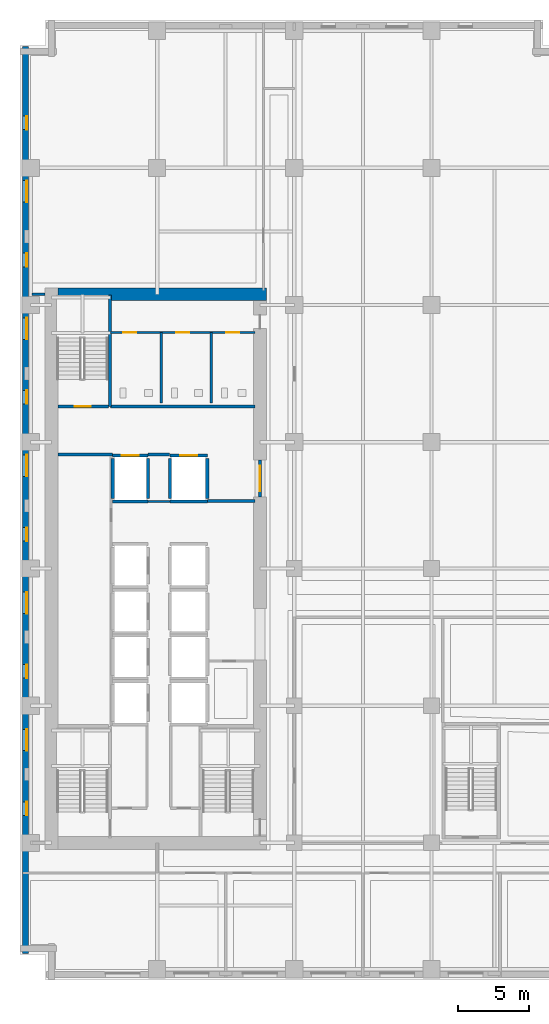
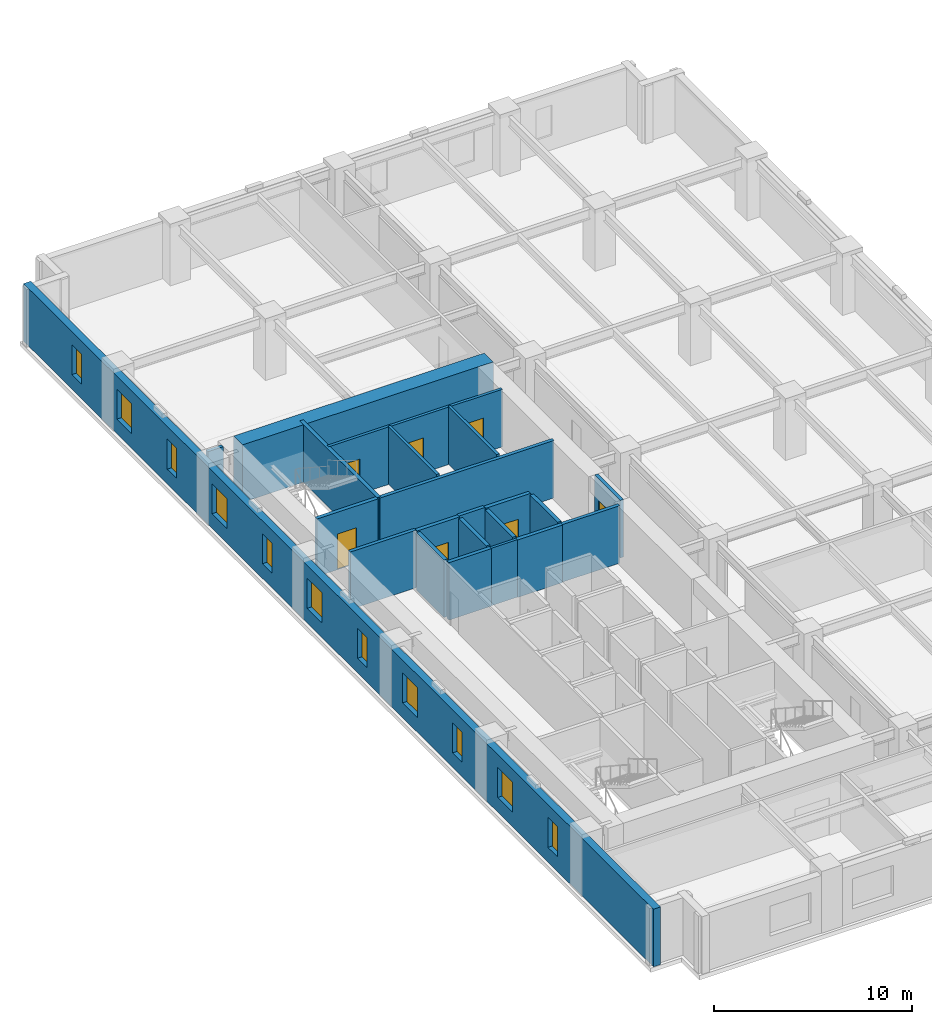
# One storey, part 6 of 14: 22 walls, 11 windows, 7 doors, 18 openings.
"""IFC4 building model written with IfcOpenShell, lengths in metres."""

from ifc_helpers import new_model, si_unit, direction, frame, frame_2d, origin, place, context, subcontext, project, spatial, rectangle, extrude, material, layer, layer_set, type_object, element, fill, save


model = new_model("IFC4")

# Units and contexts
model_context = context("Model", 3, precision=1e-05, world=origin(), true_north=direction((0.0, 1.0)))
body_context = subcontext(model_context, "Body", "Model", "MODEL_VIEW")
ifc_project = project(units=[si_unit("LENGTHUNIT", "METRE"), si_unit("AREAUNIT", "SQUARE_METRE"), si_unit("VOLUMEUNIT", "CUBIC_METRE"), si_unit("PLANEANGLEUNIT", "RADIAN"), si_unit("MASSUNIT", "GRAM", prefix="KILO")], contexts=[model_context])

# Site, building, storey
site_placement = place(None, origin())
site = spatial("IfcSite", under=ifc_project, at=site_placement, CompositionType="ELEMENT")
building_placement = place(site_placement, origin())
building = spatial("IfcBuilding", under=site, at=building_placement, Name="Norrvale University Quadrangle", CompositionType="ELEMENT")
storey_placement = place(building_placement, frame((0.0, 0.0, 24.199951171875)))
storey = spatial("IfcBuildingStorey", under=building, at=storey_placement, Name="L05", CompositionType="ELEMENT", Elevation=24.199951171875)

# Wall, openings, windows
ifc_material_1 = material(Name="Buff Norman Clay Brick Masonry", Category="masonry")
ifc_layer_1 = layer(ifc_material_1, 0.419921875, Name="Buff Norman Clay Brick Masonry")
ifc_layer_set_1 = layer_set([ifc_layer_1], Name="Buff Norman Clay Brick Masonry")
wall_type_1 = type_object("IfcWallType", Name="Wall Buff Brick 420", PredefinedType="SOLIDWALL", material=ifc_layer_set_1)
wall_1_placement = place(storey_placement, frame((0.389892578125, 65.360107421875, 0.0), z_axis=(0.0, 0.0, 1.0), x_axis=(0.0, -1.0, 0.0)))
wall_1 = element("IfcWall", 1, at=wall_1_placement, inside=storey, type_object=wall_type_1, Name="Exterior Brick Facade Wall L05-14.1", PredefinedType="SOLIDWALL", context=body_context, shape_type="SweptSolid", body=[
    extrude(rectangle(XDim=63.52001953125, YDim=0.419921875, at=frame_2d((31.760009765625, 0.0))), origin(), (0.0, 0.0, 1.0), 3.5400390625),
])
opening_1_placement = place(wall_1_placement, frame((4.885009765625, 0.0, 0.89990234375)))
opening_1 = element("IfcOpeningElement", 2, at=opening_1_placement, cuts=wall_1, Name="Opening W04", PredefinedType="OPENING", context=body_context, shape_type="SweptSolid", body=[
    extrude(rectangle(XDim=0.949951171875, YDim=1.85009765625, at=frame_2d((0.47509765625, 0.925048828125))), frame((0.0, 0.221923828125, 0.0), z_axis=(0.0, -1.0, 0.0), x_axis=(1.0, 0.0, 0.0)), (0.0, 0.0, 1.0), 0.44384765625),
])
opening_2_placement = place(wall_1_placement, frame((9.409912109375, 0.0, 0.89990234375)))
opening_2 = element("IfcOpeningElement", 3, at=opening_2_placement, cuts=wall_1, Name="Opening W03", PredefinedType="OPENING", context=body_context, shape_type="SweptSolid", body=[
    extrude(rectangle(XDim=1.5, YDim=1.85009765625, at=frame_2d((0.75, 0.925048828125))), frame((0.0, 0.221923828125, 0.0), z_axis=(0.0, -1.0, 0.0), x_axis=(1.0, 0.0, 0.0)), (0.0, 0.0, 1.0), 0.44384765625),
])
opening_3_placement = place(wall_1_placement, frame((14.485107421875, 0.0, 0.89990234375)))
opening_3 = element("IfcOpeningElement", 4, at=opening_3_placement, cuts=wall_1, Name="Opening W04", PredefinedType="OPENING", context=body_context, shape_type="SweptSolid", body=[
    extrude(rectangle(XDim=0.949951171875, YDim=1.85009765625, at=frame_2d((0.47509765625, 0.925048828125))), frame((0.0, 0.221923828125, 0.0), z_axis=(0.0, -1.0, 0.0), x_axis=(1.0, 0.0, 0.0)), (0.0, 0.0, 1.0), 0.44384765625),
])
opening_4_placement = place(wall_1_placement, frame((19.010009765625, 0.0, 0.89990234375)))
opening_4 = element("IfcOpeningElement", 5, at=opening_4_placement, cuts=wall_1, Name="Opening W03", PredefinedType="OPENING", context=body_context, shape_type="SweptSolid", body=[
    extrude(rectangle(XDim=1.5, YDim=1.85009765625, at=frame_2d((0.75, 0.925048828125))), frame((0.0, 0.221923828125, 0.0), z_axis=(0.0, -1.0, 0.0), x_axis=(1.0, 0.0, 0.0)), (0.0, 0.0, 1.0), 0.44384765625),
])
opening_5_placement = place(wall_1_placement, frame((24.0849609375, 0.0, 0.89990234375)))
opening_5 = element("IfcOpeningElement", 6, at=opening_5_placement, cuts=wall_1, Name="Opening W04", PredefinedType="OPENING", context=body_context, shape_type="SweptSolid", body=[
    extrude(rectangle(XDim=0.949951171875, YDim=1.85009765625, at=frame_2d((0.47509765625, 0.925048828125))), frame((0.0, 0.221923828125, 0.0), z_axis=(0.0, -1.0, 0.0), x_axis=(1.0, 0.0, 0.0)), (0.0, 0.0, 1.0), 0.44384765625),
])
opening_6_placement = place(wall_1_placement, frame((28.610107421875, 0.0, 0.89990234375)))
opening_6 = element("IfcOpeningElement", 7, at=opening_6_placement, cuts=wall_1, Name="Opening W03", PredefinedType="OPENING", context=body_context, shape_type="SweptSolid", body=[
    extrude(rectangle(XDim=1.5, YDim=1.85009765625, at=frame_2d((0.75, 0.925048828125))), frame((0.0, 0.221923828125, 0.0), z_axis=(0.0, -1.0, 0.0), x_axis=(1.0, 0.0, 0.0)), (0.0, 0.0, 1.0), 0.44384765625),
])
opening_7_placement = place(wall_1_placement, frame((33.68505859375, 0.0, 0.89990234375)))
opening_7 = element("IfcOpeningElement", 8, at=opening_7_placement, cuts=wall_1, Name="Opening W04", PredefinedType="OPENING", context=body_context, shape_type="SweptSolid", body=[
    extrude(rectangle(XDim=0.949951171875, YDim=1.85009765625, at=frame_2d((0.47509765625, 0.925048828125))), frame((0.0, 0.221923828125, 0.0), z_axis=(0.0, -1.0, 0.0), x_axis=(1.0, 0.0, 0.0)), (0.0, 0.0, 1.0), 0.44384765625),
])
opening_8_placement = place(wall_1_placement, frame((38.2099609375, 0.0, 0.89990234375)))
opening_8 = element("IfcOpeningElement", 9, at=opening_8_placement, cuts=wall_1, Name="Opening W03", PredefinedType="OPENING", context=body_context, shape_type="SweptSolid", body=[
    extrude(rectangle(XDim=1.5, YDim=1.85009765625, at=frame_2d((0.75, 0.925048828125))), frame((0.0, 0.221923828125, 0.0), z_axis=(0.0, -1.0, 0.0), x_axis=(1.0, 0.0, 0.0)), (0.0, 0.0, 1.0), 0.44384765625),
])
opening_9_placement = place(wall_1_placement, frame((43.284912109375, 0.0, 0.89990234375)))
opening_9 = element("IfcOpeningElement", 10, at=opening_9_placement, cuts=wall_1, Name="Opening W04", PredefinedType="OPENING", context=body_context, shape_type="SweptSolid", body=[
    extrude(rectangle(XDim=0.949951171875, YDim=1.85009765625, at=frame_2d((0.47509765625, 0.925048828125))), frame((0.0, 0.221923828125, 0.0), z_axis=(0.0, -1.0, 0.0), x_axis=(1.0, 0.0, 0.0)), (0.0, 0.0, 1.0), 0.44384765625),
])
opening_10_placement = place(wall_1_placement, frame((47.81005859375, 0.0, 0.89990234375)))
opening_10 = element("IfcOpeningElement", 11, at=opening_10_placement, cuts=wall_1, Name="Opening W03", PredefinedType="OPENING", context=body_context, shape_type="SweptSolid", body=[
    extrude(rectangle(XDim=1.5, YDim=1.85009765625, at=frame_2d((0.75, 0.925048828125))), frame((0.0, 0.221923828125, 0.0), z_axis=(0.0, -1.0, 0.0), x_axis=(1.0, 0.0, 0.0)), (0.0, 0.0, 1.0), 0.44384765625),
])
opening_11_placement = place(wall_1_placement, frame((52.885009765625, 0.0, 0.89990234375)))
opening_11 = element("IfcOpeningElement", 12, at=opening_11_placement, cuts=wall_1, Name="Opening W04", PredefinedType="OPENING", context=body_context, shape_type="SweptSolid", body=[
    extrude(rectangle(XDim=0.949951171875, YDim=1.85009765625, at=frame_2d((0.47509765625, 0.925048828125))), frame((0.0, 0.221923828125, 0.0), z_axis=(0.0, -1.0, 0.0), x_axis=(1.0, 0.0, 0.0)), (0.0, 0.0, 1.0), 0.44384765625),
])
ifc_material_2 = material(Name="Triple Low-E Argon Glazing", Category="glass")
window_type_1 = type_object("IfcWindowType", Name="Window Narrow Pier 950x2300", PartitioningType="SINGLE_PANEL", PredefinedType="WINDOW", material=ifc_material_2)
window_1_placement = place(opening_1_placement, origin())
window_1 = element("IfcWindow", 13, at=window_1_placement, inside=storey, type_object=window_type_1, Name="Window Narrow Pier 950x2300 WIN-L05-E14-1-01", OverallHeight=1.85009765625, OverallWidth=0.949951171875, PartitioningType="SINGLE_PANEL", PredefinedType="WINDOW", context=body_context, shape_type="SweptSolid", body=[
    extrude(rectangle(XDim=0.949951171875, YDim=1.85009765625, at=frame_2d((0.47509765625, 0.925048828125))), frame((0.0, 0.110107421875, 0.0), z_axis=(0.0, -1.0, 0.0), x_axis=(1.0, 0.0, 0.0)), (0.0, 0.0, 1.0), 0.06005859375),
])
fill(opening_1, window_1)
window_2_placement = place(opening_3_placement, origin())
window_2 = element("IfcWindow", 14, at=window_2_placement, inside=storey, type_object=window_type_1, Name="Window Narrow Pier 950x2300 WIN-L05-E14-1-03", OverallHeight=1.85009765625, OverallWidth=0.949951171875, PartitioningType="SINGLE_PANEL", PredefinedType="WINDOW", context=body_context, shape_type="SweptSolid", body=[
    extrude(rectangle(XDim=0.949951171875, YDim=1.85009765625, at=frame_2d((0.47509765625, 0.925048828125))), frame((0.0, 0.110107421875, 0.0), z_axis=(0.0, -1.0, 0.0), x_axis=(1.0, 0.0, 0.0)), (0.0, 0.0, 1.0), 0.06005859375),
])
fill(opening_3, window_2)
window_3_placement = place(opening_5_placement, origin())
window_3 = element("IfcWindow", 15, at=window_3_placement, inside=storey, type_object=window_type_1, Name="Window Narrow Pier 950x2300 WIN-L05-E14-1-05", OverallHeight=1.85009765625, OverallWidth=0.949951171875, PartitioningType="SINGLE_PANEL", PredefinedType="WINDOW", context=body_context, shape_type="SweptSolid", body=[
    extrude(rectangle(XDim=0.949951171875, YDim=1.85009765625, at=frame_2d((0.47509765625, 0.925048828125))), frame((0.0, 0.110107421875, 0.0), z_axis=(0.0, -1.0, 0.0), x_axis=(1.0, 0.0, 0.0)), (0.0, 0.0, 1.0), 0.06005859375),
])
fill(opening_5, window_3)
window_4_placement = place(opening_7_placement, origin())
window_4 = element("IfcWindow", 16, at=window_4_placement, inside=storey, type_object=window_type_1, Name="Window Narrow Pier 950x2300 WIN-L05-E14-1-07", OverallHeight=1.85009765625, OverallWidth=0.949951171875, PartitioningType="SINGLE_PANEL", PredefinedType="WINDOW", context=body_context, shape_type="SweptSolid", body=[
    extrude(rectangle(XDim=0.949951171875, YDim=1.85009765625, at=frame_2d((0.47509765625, 0.925048828125))), frame((0.0, 0.110107421875, 0.0), z_axis=(0.0, -1.0, 0.0), x_axis=(1.0, 0.0, 0.0)), (0.0, 0.0, 1.0), 0.06005859375),
])
fill(opening_7, window_4)
window_5_placement = place(opening_9_placement, origin())
window_5 = element("IfcWindow", 17, at=window_5_placement, inside=storey, type_object=window_type_1, Name="Window Narrow Pier 950x2300 WIN-L05-E14-1-09", OverallHeight=1.85009765625, OverallWidth=0.949951171875, PartitioningType="SINGLE_PANEL", PredefinedType="WINDOW", context=body_context, shape_type="SweptSolid", body=[
    extrude(rectangle(XDim=0.949951171875, YDim=1.85009765625, at=frame_2d((0.47509765625, 0.925048828125))), frame((0.0, 0.110107421875, 0.0), z_axis=(0.0, -1.0, 0.0), x_axis=(1.0, 0.0, 0.0)), (0.0, 0.0, 1.0), 0.06005859375),
])
fill(opening_9, window_5)
window_6_placement = place(opening_11_placement, origin())
window_6 = element("IfcWindow", 18, at=window_6_placement, inside=storey, type_object=window_type_1, Name="Window Narrow Pier 950x2300 WIN-L05-E14-1-11", OverallHeight=1.85009765625, OverallWidth=0.949951171875, PartitioningType="SINGLE_PANEL", PredefinedType="WINDOW", context=body_context, shape_type="SweptSolid", body=[
    extrude(rectangle(XDim=0.949951171875, YDim=1.85009765625, at=frame_2d((0.47509765625, 0.925048828125))), frame((0.0, 0.110107421875, 0.0), z_axis=(0.0, -1.0, 0.0), x_axis=(1.0, 0.0, 0.0)), (0.0, 0.0, 1.0), 0.06005859375),
])
fill(opening_11, window_6)
window_type_2 = type_object("IfcWindowType", Name="Window Studio 1500x2300", PartitioningType="DOUBLE_PANEL_VERTICAL", PredefinedType="WINDOW", material=ifc_material_2)
window_7_placement = place(opening_2_placement, origin())
window_7 = element("IfcWindow", 19, at=window_7_placement, inside=storey, type_object=window_type_2, Name="Window Studio 1500x2300 WIN-L05-E14-1-02", OverallHeight=1.85009765625, OverallWidth=1.5, PartitioningType="DOUBLE_PANEL_VERTICAL", PredefinedType="WINDOW", context=body_context, shape_type="SweptSolid", body=[
    extrude(rectangle(XDim=1.5, YDim=1.85009765625, at=frame_2d((0.75, 0.925048828125))), frame((0.0, 0.110107421875, 0.0), z_axis=(0.0, -1.0, 0.0), x_axis=(1.0, 0.0, 0.0)), (0.0, 0.0, 1.0), 0.06005859375),
])
fill(opening_2, window_7)
window_8_placement = place(opening_4_placement, origin())
window_8 = element("IfcWindow", 20, at=window_8_placement, inside=storey, type_object=window_type_2, Name="Window Studio 1500x2300 WIN-L05-E14-1-04", OverallHeight=1.85009765625, OverallWidth=1.5, PartitioningType="DOUBLE_PANEL_VERTICAL", PredefinedType="WINDOW", context=body_context, shape_type="SweptSolid", body=[
    extrude(rectangle(XDim=1.5, YDim=1.85009765625, at=frame_2d((0.75, 0.925048828125))), frame((0.0, 0.110107421875, 0.0), z_axis=(0.0, -1.0, 0.0), x_axis=(1.0, 0.0, 0.0)), (0.0, 0.0, 1.0), 0.06005859375),
])
fill(opening_4, window_8)
window_9_placement = place(opening_6_placement, origin())
window_9 = element("IfcWindow", 21, at=window_9_placement, inside=storey, type_object=window_type_2, Name="Window Studio 1500x2300 WIN-L05-E14-1-06", OverallHeight=1.85009765625, OverallWidth=1.5, PartitioningType="DOUBLE_PANEL_VERTICAL", PredefinedType="WINDOW", context=body_context, shape_type="SweptSolid", body=[
    extrude(rectangle(XDim=1.5, YDim=1.85009765625, at=frame_2d((0.75, 0.925048828125))), frame((0.0, 0.110107421875, 0.0), z_axis=(0.0, -1.0, 0.0), x_axis=(1.0, 0.0, 0.0)), (0.0, 0.0, 1.0), 0.06005859375),
])
fill(opening_6, window_9)
window_10_placement = place(opening_8_placement, origin())
window_10 = element("IfcWindow", 22, at=window_10_placement, inside=storey, type_object=window_type_2, Name="Window Studio 1500x2300 WIN-L05-E14-1-08", OverallHeight=1.85009765625, OverallWidth=1.5, PartitioningType="DOUBLE_PANEL_VERTICAL", PredefinedType="WINDOW", context=body_context, shape_type="SweptSolid", body=[
    extrude(rectangle(XDim=1.5, YDim=1.85009765625, at=frame_2d((0.75, 0.925048828125))), frame((0.0, 0.110107421875, 0.0), z_axis=(0.0, -1.0, 0.0), x_axis=(1.0, 0.0, 0.0)), (0.0, 0.0, 1.0), 0.06005859375),
])
fill(opening_8, window_10)
window_11_placement = place(opening_10_placement, origin())
window_11 = element("IfcWindow", 23, at=window_11_placement, inside=storey, type_object=window_type_2, Name="Window Studio 1500x2300 WIN-L05-E14-1-10", OverallHeight=1.85009765625, OverallWidth=1.5, PartitioningType="DOUBLE_PANEL_VERTICAL", PredefinedType="WINDOW", context=body_context, shape_type="SweptSolid", body=[
    extrude(rectangle(XDim=1.5, YDim=1.85009765625, at=frame_2d((0.75, 0.925048828125))), frame((0.0, 0.110107421875, 0.0), z_axis=(0.0, -1.0, 0.0), x_axis=(1.0, 0.0, 0.0)), (0.0, 0.0, 1.0), 0.06005859375),
])
fill(opening_10, window_11)

# Walls
ifc_material_3 = material(Name="Concrete C80/95", Category="concrete")
ifc_layer_2 = layer(ifc_material_3, 0.89990234375, Name="Concrete C80/95")
ifc_layer_set_2 = layer_set([ifc_layer_2], Name="Concrete C80/95")
wall_type_2 = type_object("IfcWallType", Name="Wall Core 900", PredefinedType="SHEAR", material=ifc_layer_set_2)
wall_2_placement = place(storey_placement, frame((2.64990234375, 48.0, 0.0), z_axis=(0.0, 0.0, 1.0), x_axis=(1.0, 0.0, 0.0)))
element("IfcWall", 24, at=wall_2_placement, inside=storey, type_object=wall_type_2, Name="Tower Core Shear Wall L05-N", PredefinedType="SHEAR", context=body_context, shape_type="SweptSolid", body=[
    extrude(rectangle(XDim=14.60009765625, YDim=0.89990234375, at=frame_2d((7.300048828125, 0.0))), origin(), (0.0, 0.0, 1.0), 3.5400390625),
])
ifc_material_4 = material(Name="Fire-Rated Gypsum Stud Partition")
ifc_layer_3 = layer(ifc_material_4, 0.14990234375, Name="Fire-Rated Gypsum Stud Partition")
ifc_layer_set_3 = layer_set([ifc_layer_3], Name="Fire-Rated Gypsum Stud Partition")
wall_type_3 = type_object("IfcWallType", Name="Wall Gypsum Corridor 150", PredefinedType="PARTITIONING", material=ifc_layer_set_3)
wall_3_placement = place(storey_placement, frame((8.965087890625, 33.489990234375, 0.0), z_axis=(0.0, 0.0, 1.0), x_axis=(1.0, 0.0, 0.0)))
element("IfcWall", 25, at=wall_3_placement, inside=storey, type_object=wall_type_3, Name="Interior Partition WL-L05-LL3", PredefinedType="PARTITIONING", context=body_context, shape_type="SweptSolid", body=[
    extrude(rectangle(XDim=1.52001953125, YDim=0.14990234375, at=frame_2d((0.760009765625, 0.0))), origin(), (0.0, 0.0, 1.0), 3.5400390625),
])

# Wall, openings, doors
ifc_material_5 = material(Name="Sanitary Chase Gypsum Partition")
ifc_layer_4 = layer(ifc_material_5, 0.1650390625, Name="Sanitary Chase Gypsum Partition")
ifc_layer_set_4 = layer_set([ifc_layer_4], Name="Sanitary Chase Gypsum Partition")
wall_type_4 = type_object("IfcWallType", Name="Wall Gypsum Sanitary 165", PredefinedType="PLUMBINGWALL", material=ifc_layer_set_4)
wall_4_placement = place(storey_placement, frame((6.320068359375, 45.320068359375, 0.0), z_axis=(0.0, 0.0, 1.0), x_axis=(1.0, 0.0, 0.0)))
wall_4 = element("IfcWall", 26, at=wall_4_placement, inside=storey, type_object=wall_type_4, Name="Interior Partition WL-L05-WCN", PredefinedType="PLUMBINGWALL", context=body_context, shape_type="SweptSolid", body=[
    extrude(rectangle(XDim=10.1298828125, YDim=0.1650390625, at=frame_2d((5.06494140625, 0.0))), origin(), (0.0, 0.0, 1.0), 3.5400390625),
])
opening_12_placement = place(wall_4_placement, frame((0.89990234375, 0.0, 0.0)))
opening_12 = element("IfcOpeningElement", 27, at=opening_12_placement, cuts=wall_4, Name="Opening D08", PredefinedType="OPENING", context=body_context, shape_type="SweptSolid", body=[
    extrude(rectangle(XDim=0.919921875, YDim=2.14990234375, at=frame_2d((0.4599609375, 1.074951171875))), frame((0.0, 0.094482421875, 0.0), z_axis=(0.0, -1.0, 0.0), x_axis=(1.0, 0.0, 0.0)), (0.0, 0.0, 1.0), 0.18896484375),
])
opening_13_placement = place(wall_4_placement, frame((4.60009765625, 0.0, 0.0)))
opening_13 = element("IfcOpeningElement", 28, at=opening_13_placement, cuts=wall_4, Name="Opening D08", PredefinedType="OPENING", context=body_context, shape_type="SweptSolid", body=[
    extrude(rectangle(XDim=0.919921875, YDim=2.14990234375, at=frame_2d((0.4599609375, 1.074951171875))), frame((0.0, 0.094482421875, 0.0), z_axis=(0.0, -1.0, 0.0), x_axis=(1.0, 0.0, 0.0)), (0.0, 0.0, 1.0), 0.18896484375),
])
opening_14_placement = place(wall_4_placement, frame((8.10009765625, 0.0, 0.0)))
opening_14 = element("IfcOpeningElement", 29, at=opening_14_placement, cuts=wall_4, Name="Opening D08", PredefinedType="OPENING", context=body_context, shape_type="SweptSolid", body=[
    extrude(rectangle(XDim=0.919921875, YDim=2.14990234375, at=frame_2d((0.4599609375, 1.074951171875))), frame((0.0, 0.094482421875, 0.0), z_axis=(0.0, -1.0, 0.0), x_axis=(1.0, 0.0, 0.0)), (0.0, 0.0, 1.0), 0.18896484375),
])
ifc_material_6 = material(Name="Laminate Washroom Door", Category="wood")
door_type_1 = type_object("IfcDoorType", Name="Door Washroom 920x2150", OperationType="NOTDEFINED", PredefinedType="DOOR", material=ifc_material_6)
door_1_placement = place(opening_12_placement, origin())
door_1 = element("IfcDoor", 30, at=door_1_placement, inside=storey, type_object=door_type_1, Name="Door Washroom 920x2150 DR-L05-WC1", OperationType="SINGLE_SWING_LEFT", OverallHeight=2.14990234375, OverallWidth=0.919921875, PredefinedType="DOOR", context=body_context, shape_type="SweptSolid", body=[
    extrude(rectangle(XDim=0.919921875, YDim=2.14990234375, at=frame_2d((0.4599609375, 1.074951171875))), frame((0.0, 0.02490234375, 0.0), z_axis=(0.0, -1.0, 0.0), x_axis=(1.0, 0.0, 0.0)), (0.0, 0.0, 1.0), 0.050048828125),
])
fill(opening_12, door_1)
door_2_placement = place(opening_13_placement, origin())
door_2 = element("IfcDoor", 31, at=door_2_placement, inside=storey, type_object=door_type_1, Name="Door Washroom 920x2150 DR-L05-WC2", OperationType="SINGLE_SWING_RIGHT", OverallHeight=2.14990234375, OverallWidth=0.919921875, PredefinedType="DOOR", context=body_context, shape_type="SweptSolid", body=[
    extrude(rectangle(XDim=0.919921875, YDim=2.14990234375, at=frame_2d((0.4599609375, 1.074951171875))), frame((0.0, 0.02490234375, 0.0), z_axis=(0.0, -1.0, 0.0), x_axis=(1.0, 0.0, 0.0)), (0.0, 0.0, 1.0), 0.050048828125),
])
fill(opening_13, door_2)
door_3_placement = place(opening_14_placement, origin())
door_3 = element("IfcDoor", 32, at=door_3_placement, inside=storey, type_object=door_type_1, Name="Door Washroom 920x2150 DR-L05-WC3", OperationType="SINGLE_SWING_LEFT", OverallHeight=2.14990234375, OverallWidth=0.919921875, PredefinedType="DOOR", context=body_context, shape_type="SweptSolid", body=[
    extrude(rectangle(XDim=0.919921875, YDim=2.14990234375, at=frame_2d((0.4599609375, 1.074951171875))), frame((0.0, 0.02490234375, 0.0), z_axis=(0.0, -1.0, 0.0), x_axis=(1.0, 0.0, 0.0)), (0.0, 0.0, 1.0), 0.050048828125),
])
fill(opening_14, door_3)

# Walls
for number, where, z_axis, x_axis, name in (
    (33, (9.89990234375, 40.39990234375, 0.0), (0.0, 0.0, 1.0), (0.0, 1.0, 0.0), "Interior Partition WL-L05-WCM1"),
    (34, (13.39990234375, 40.39990234375, 0.0), (0.0, 0.0, 1.0), (0.0, 1.0, 0.0), "Interior Partition WL-L05-WCM2"),
):
    element("IfcWall", number, at=place(storey_placement, frame(where, z_axis=z_axis, x_axis=x_axis)), inside=storey, type_object=wall_type_4, Name=name, PredefinedType="PLUMBINGWALL", context=body_context, shape_type="SweptSolid", body=[
        extrude(rectangle(XDim=4.920166015625, YDim=0.1650390625, at=frame_2d((2.4599609375, 0.0))), origin(), (0.0, 0.0, 1.0), 3.5400390625),
    ])
ifc_material_7 = material(Name="Concrete Blockwork 20 MPa Rated Wall", Category="masonry")
ifc_layer_5 = layer(ifc_material_7, 0.199951171875, Name="Concrete Blockwork 20 MPa Rated Wall")
ifc_layer_set_5 = layer_set([ifc_layer_5], Name="Concrete Blockwork 20 MPa Rated Wall")
wall_type_5 = type_object("IfcWallType", Name="Wall Lobby 200", PredefinedType="SOLIDWALL", material=ifc_layer_set_5)
wall_5_placement = place(storey_placement, frame((2.64990234375, 36.780029296875, 0.0), z_axis=(0.0, 0.0, 1.0), x_axis=(1.0, 0.0, 0.0)))
element("IfcWall", 35, at=wall_5_placement, inside=storey, type_object=wall_type_5, Name="Interior Partition WL-L05-FF1", PredefinedType="SOLIDWALL", context=body_context, shape_type="SweptSolid", body=[
    extrude(rectangle(XDim=3.830078125, YDim=0.199951171875, at=frame_2d((1.9150390625, 0.0))), origin(), (0.0, 0.0, 1.0), 3.5400390625),
])
wall_6_placement = place(storey_placement, frame((8.969970703125, 36.780029296875, 0.0), z_axis=(0.0, 0.0, 1.0), x_axis=(1.0, 0.0, 0.0)))
element("IfcWall", 36, at=wall_6_placement, inside=storey, type_object=wall_type_5, Name="Interior Partition WL-L05-FF2", PredefinedType="SOLIDWALL", context=body_context, shape_type="SweptSolid", body=[
    extrude(rectangle(XDim=1.510009765625, YDim=0.199951171875, at=frame_2d((0.7548828125, 0.0))), origin(), (0.0, 0.0, 1.0), 3.5400390625),
])
wall_7_placement = place(storey_placement, frame((13.1201171875, 33.52001953125, 0.0), z_axis=(0.0, 0.0, 1.0), x_axis=(1.0, 0.0, 0.0)))
element("IfcWall", 37, at=wall_7_placement, inside=storey, type_object=wall_type_5, Name="Interior Partition WL-L05-FF3", PredefinedType="SOLIDWALL", context=body_context, shape_type="SweptSolid", body=[
    extrude(rectangle(XDim=3.329833984375, YDim=0.199951171875, at=frame_2d((1.6650390625, 0.0))), origin(), (0.0, 0.0, 1.0), 3.5400390625),
])
wall_8_placement = place(storey_placement, frame((6.320068359375, 40.139892578125, 0.0), z_axis=(0.0, 0.0, 1.0), x_axis=(1.0, 0.0, 0.0)))
element("IfcWall", 38, at=wall_8_placement, inside=storey, type_object=wall_type_5, Name="Interior Partition WL-L05-FF4", PredefinedType="SOLIDWALL", context=body_context, shape_type="SweptSolid", body=[
    extrude(rectangle(XDim=10.1298828125, YDim=0.199951171875, at=frame_2d((5.06494140625, 0.0))), origin(), (0.0, 0.0, 1.0), 3.5400390625),
])

# Wall, opening, door
wall_9_placement = place(storey_placement, frame((16.800048828125, 33.800048828125, 0.0), z_axis=(0.0, 0.0, 1.0), x_axis=(0.0, 1.0, 0.0)))
wall_9 = element("IfcWall", 39, at=wall_9_placement, inside=storey, type_object=wall_type_5, Name="Interior Partition WL-L05-FFP", PredefinedType="SOLIDWALL", context=body_context, shape_type="SweptSolid", body=[
    extrude(rectangle(XDim=2.599853515625, YDim=0.199951171875, at=frame_2d((1.2998046875, 0.0))), origin(), (0.0, 0.0, 1.0), 3.5400390625),
])
opening_15_placement = place(wall_9_placement, frame((0.39990234375, 0.0, 0.0)))
opening_15 = element("IfcOpeningElement", 40, at=opening_15_placement, cuts=wall_9, Name="Opening D03", PredefinedType="OPENING", context=body_context, shape_type="SweptSolid", body=[
    extrude(rectangle(XDim=1.800048828125, YDim=2.199951171875, at=frame_2d((0.89990234375, 1.10009765625))), frame((0.0, 0.112060546875, 0.0), z_axis=(0.0, -1.0, 0.0), x_axis=(1.0, 0.0, 0.0)), (0.0, 0.0, 1.0), 0.223876953125),
])
ifc_material_8 = material(Name="Hollow Steel 350W Fire Door", Category="steel")
door_type_2 = type_object("IfcDoorType", Name="Door Fire Lobby 1800x2200", OperationType="DOUBLE_DOOR_SINGLE_SWING", PredefinedType="DOOR", material=ifc_material_8)
door_4_placement = place(opening_15_placement, origin())
door_4 = element("IfcDoor", 41, at=door_4_placement, inside=storey, type_object=door_type_2, Name="Door Fire Lobby 1800x2200 DR-L05-FFP", OperationType="DOUBLE_DOOR_SINGLE_SWING", OverallHeight=2.199951171875, OverallWidth=1.800048828125, PredefinedType="DOOR", context=body_context, shape_type="SweptSolid", body=[
    extrude(rectangle(XDim=1.800048828125, YDim=2.199951171875, at=frame_2d((0.89990234375, 1.10009765625))), frame((0.0, 0.02490234375, 0.0), z_axis=(0.0, -1.0, 0.0), x_axis=(1.0, 0.0, 0.0)), (0.0, 0.0, 1.0), 0.050048828125),
])
fill(opening_15, door_4)

# Wall
wall_10_placement = place(storey_placement, frame((0.85009765625, 48.0, 0.0), z_axis=(0.0, 0.0, 1.0), x_axis=(1.0, 0.0, 0.0)))
element("IfcWall", 42, at=wall_10_placement, inside=storey, type_object=wall_type_5, Name="Interior Partition WL-L05-CWRET-N", PredefinedType="SOLIDWALL", context=body_context, shape_type="SweptSolid", body=[
    extrude(rectangle(XDim=0.89501953125, YDim=0.199951171875, at=frame_2d((0.447509765625, 0.0))), origin(), (0.0, 0.0, 1.0), 3.5400390625),
])

# Wall, opening, door
ifc_material_9 = material(Name="Concrete Blockwork 20 MPa Fire Shaft", Category="masonry")
ifc_layer_6 = layer(ifc_material_9, 0.219970703125, Name="Concrete Blockwork 20 MPa Fire Shaft")
ifc_layer_set_6 = layer_set([ifc_layer_6], Name="Concrete Blockwork 20 MPa Fire Shaft")
wall_type_6 = type_object("IfcWallType", Name="Wall Shaft 220", PredefinedType="SOLIDWALL", material=ifc_layer_set_6)
wall_11_placement = place(storey_placement, frame((2.64990234375, 40.139892578125, 0.0), z_axis=(0.0, 0.0, 1.0), x_axis=(1.0, 0.0, 0.0)))
wall_11 = element("IfcWall", 43, at=wall_11_placement, inside=storey, type_object=wall_type_6, Name="Stair ST-02 South Shaft Wall L05", PredefinedType="SOLIDWALL", context=body_context, shape_type="SweptSolid", body=[
    extrude(rectangle(XDim=3.550048828125, YDim=0.219970703125, at=frame_2d((1.77490234375, 0.0))), origin(), (0.0, 0.0, 1.0), 3.5400390625),
])
opening_16_placement = place(wall_11_placement, frame((1.199951171875, 0.0, 0.0)))
opening_16 = element("IfcOpeningElement", 44, at=opening_16_placement, cuts=wall_11, Name="Opening D02", PredefinedType="OPENING", context=body_context, shape_type="SweptSolid", body=[
    extrude(rectangle(XDim=1.10009765625, YDim=2.199951171875, at=frame_2d((0.550048828125, 1.10009765625))), frame((0.0, 0.1220703125, 0.0), z_axis=(0.0, -1.0, 0.0), x_axis=(1.0, 0.0, 0.0)), (0.0, 0.0, 1.0), 0.243896484375),
])
door_type_3 = type_object("IfcDoorType", Name="Door Stair Exit 1100x2200", OperationType="NOTDEFINED", PredefinedType="DOOR", material=ifc_material_8)
door_5_placement = place(opening_16_placement, origin())
door_5 = element("IfcDoor", 45, at=door_5_placement, inside=storey, type_object=door_type_3, Name="Door Stair Exit 1100x2200 DR-L05-ST02", OperationType="SINGLE_SWING_LEFT", OverallHeight=2.199951171875, OverallWidth=1.10009765625, PredefinedType="DOOR", context=body_context, shape_type="SweptSolid", body=[
    extrude(rectangle(XDim=1.10009765625, YDim=2.199951171875, at=frame_2d((0.550048828125, 1.10009765625))), frame((0.0, 0.02490234375, 0.0), z_axis=(0.0, -1.0, 0.0), x_axis=(1.0, 0.0, 0.0)), (0.0, 0.0, 1.0), 0.050048828125),
])
fill(opening_16, door_5)

# Walls
wall_12_placement = place(storey_placement, frame((6.31005859375, 40.139892578125, 0.0), z_axis=(0.0, 0.0, 1.0), x_axis=(0.0, 1.0, 0.0)))
element("IfcWall", 46, at=wall_12_placement, inside=storey, type_object=wall_type_6, Name="Stair ST-02 East Shaft Wall L05", PredefinedType="SOLIDWALL", context=body_context, shape_type="SweptSolid", body=[
    extrude(rectangle(XDim=7.81005859375, YDim=0.219970703125, at=frame_2d((3.905029296875, 0.0))), origin(), (0.0, 0.0, 1.0), 3.5400390625),
])
for number, where, z_axis, x_axis, name in (
    (47, (6.489990234375, 33.7099609375, 0.0), (0.0, 0.0, 1.0), (0.0, 1.0, 0.0), "Hoistway FFL-01 West Wall L05"),
    (48, (8.9599609375, 33.7099609375, 0.0), (0.0, 0.0, 1.0), (0.0, 1.0, 0.0), "Hoistway FFL-01 East Wall L05"),
):
    element("IfcWall", number, at=place(storey_placement, frame(where, z_axis=z_axis, x_axis=x_axis)), inside=storey, type_object=wall_type_6, Name=name, PredefinedType="SOLIDWALL", context=body_context, shape_type="SweptSolid", body=[
        extrude(rectangle(XDim=2.780029296875, YDim=0.219970703125, at=frame_2d((1.39013671875, 0.0))), origin(), (0.0, 0.0, 1.0), 3.5400390625),
    ])
wall_13_placement = place(storey_placement, frame((6.489990234375, 33.489990234375, 0.0), z_axis=(0.0, 0.0, 1.0), x_axis=(1.0, 0.0, 0.0)))
element("IfcWall", 49, at=wall_13_placement, inside=storey, type_object=wall_type_6, Name="Hoistway FFL-01 South Wall L05", PredefinedType="SOLIDWALL", context=body_context, shape_type="SweptSolid", body=[
    extrude(rectangle(XDim=2.469970703125, YDim=0.219970703125, at=frame_2d((1.23486328125, 0.0))), origin(), (0.0, 0.0, 1.0), 3.5400390625),
])

# Wall, opening, door
wall_14_placement = place(storey_placement, frame((6.489990234375, 36.7099609375, 0.0), z_axis=(0.0, 0.0, 1.0), x_axis=(1.0, 0.0, 0.0)))
wall_14 = element("IfcWall", 50, at=wall_14_placement, inside=storey, type_object=wall_type_6, Name="Hoistway FFL-01 North Wall L05", PredefinedType="SOLIDWALL", context=body_context, shape_type="SweptSolid", body=[
    extrude(rectangle(XDim=2.469970703125, YDim=0.219970703125, at=frame_2d((1.23486328125, 0.0))), origin(), (0.0, 0.0, 1.0), 3.5400390625),
])
opening_17_placement = place(wall_14_placement, frame((0.635009765625, 0.0, 0.0)))
opening_17 = element("IfcOpeningElement", 51, at=opening_17_placement, cuts=wall_14, Name="Opening LD2", PredefinedType="OPENING", context=body_context, shape_type="SweptSolid", body=[
    extrude(rectangle(XDim=1.199951171875, YDim=2.199951171875, at=frame_2d((0.60009765625, 1.10009765625))), frame((0.0, 0.1220703125, 0.0), z_axis=(0.0, -1.0, 0.0), x_axis=(1.0, 0.0, 0.0)), (0.0, 0.0, 1.0), 0.243896484375),
])
ifc_material_10 = material(Name="Stainless Steel 316L Firefighter Lift Door", Category="steel")
door_type_4 = type_object("IfcDoorType", Name="Door Fire Lift 1200x2200", OperationType="DOUBLE_DOOR_SLIDING", PredefinedType="DOOR", material=ifc_material_10)
door_6_placement = place(opening_17_placement, origin())
door_6 = element("IfcDoor", 52, at=door_6_placement, inside=storey, type_object=door_type_4, Name="Elevator Landing Door DR-L05-FFL-01", OperationType="DOUBLE_DOOR_SLIDING", OverallHeight=2.199951171875, OverallWidth=1.199951171875, PredefinedType="DOOR", context=body_context, shape_type="SweptSolid", body=[
    extrude(rectangle(XDim=1.199951171875, YDim=2.199951171875, at=frame_2d((0.60009765625, 1.10009765625))), frame((0.0, 0.02490234375, 0.0), z_axis=(0.0, -1.0, 0.0), x_axis=(1.0, 0.0, 0.0)), (0.0, 0.0, 1.0), 0.050048828125),
])
fill(opening_17, door_6)

# Walls
for number, where, z_axis, x_axis, name in (
    (53, (10.489990234375, 33.7099609375, 0.0), (0.0, 0.0, 1.0), (0.0, 1.0, 0.0), "Hoistway FFL-02 West Wall L05"),
    (54, (13.110107421875, 33.7099609375, 0.0), (0.0, 0.0, 1.0), (0.0, 1.0, 0.0), "Hoistway FFL-02 East Wall L05"),
):
    element("IfcWall", number, at=place(storey_placement, frame(where, z_axis=z_axis, x_axis=x_axis)), inside=storey, type_object=wall_type_6, Name=name, PredefinedType="SOLIDWALL", context=body_context, shape_type="SweptSolid", body=[
        extrude(rectangle(XDim=2.780029296875, YDim=0.219970703125, at=frame_2d((1.39013671875, 0.0))), origin(), (0.0, 0.0, 1.0), 3.5400390625),
    ])
wall_15_placement = place(storey_placement, frame((10.489990234375, 33.489990234375, 0.0), z_axis=(0.0, 0.0, 1.0), x_axis=(1.0, 0.0, 0.0)))
element("IfcWall", 55, at=wall_15_placement, inside=storey, type_object=wall_type_6, Name="Hoistway FFL-02 South Wall L05", PredefinedType="SOLIDWALL", context=body_context, shape_type="SweptSolid", body=[
    extrude(rectangle(XDim=2.6201171875, YDim=0.219970703125, at=frame_2d((1.31005859375, 0.0))), origin(), (0.0, 0.0, 1.0), 3.5400390625),
])

# Wall, opening, door
wall_16_placement = place(storey_placement, frame((10.489990234375, 36.7099609375, 0.0), z_axis=(0.0, 0.0, 1.0), x_axis=(1.0, 0.0, 0.0)))
wall_16 = element("IfcWall", 56, at=wall_16_placement, inside=storey, type_object=wall_type_6, Name="Hoistway FFL-02 North Wall L05", PredefinedType="SOLIDWALL", context=body_context, shape_type="SweptSolid", body=[
    extrude(rectangle(XDim=2.6201171875, YDim=0.219970703125, at=frame_2d((1.31005859375, 0.0))), origin(), (0.0, 0.0, 1.0), 3.5400390625),
])
opening_18_placement = place(wall_16_placement, frame((0.7099609375, 0.0, 0.0)))
opening_18 = element("IfcOpeningElement", 57, at=opening_18_placement, cuts=wall_16, Name="Opening LD2", PredefinedType="OPENING", context=body_context, shape_type="SweptSolid", body=[
    extrude(rectangle(XDim=1.199951171875, YDim=2.199951171875, at=frame_2d((0.60009765625, 1.10009765625))), frame((0.0, 0.1220703125, 0.0), z_axis=(0.0, -1.0, 0.0), x_axis=(1.0, 0.0, 0.0)), (0.0, 0.0, 1.0), 0.243896484375),
])
door_7_placement = place(opening_18_placement, origin())
door_7 = element("IfcDoor", 58, at=door_7_placement, inside=storey, type_object=door_type_4, Name="Elevator Landing Door DR-L05-FFL-02", OperationType="DOUBLE_DOOR_SLIDING", OverallHeight=2.199951171875, OverallWidth=1.199951171875, PredefinedType="DOOR", context=body_context, shape_type="SweptSolid", body=[
    extrude(rectangle(XDim=1.199951171875, YDim=2.199951171875, at=frame_2d((0.60009765625, 1.10009765625))), frame((0.0, 0.02490234375, 0.0), z_axis=(0.0, -1.0, 0.0), x_axis=(1.0, 0.0, 0.0)), (0.0, 0.0, 1.0), 0.050048828125),
])
fill(opening_18, door_7)

save(model, "model.ifc")
